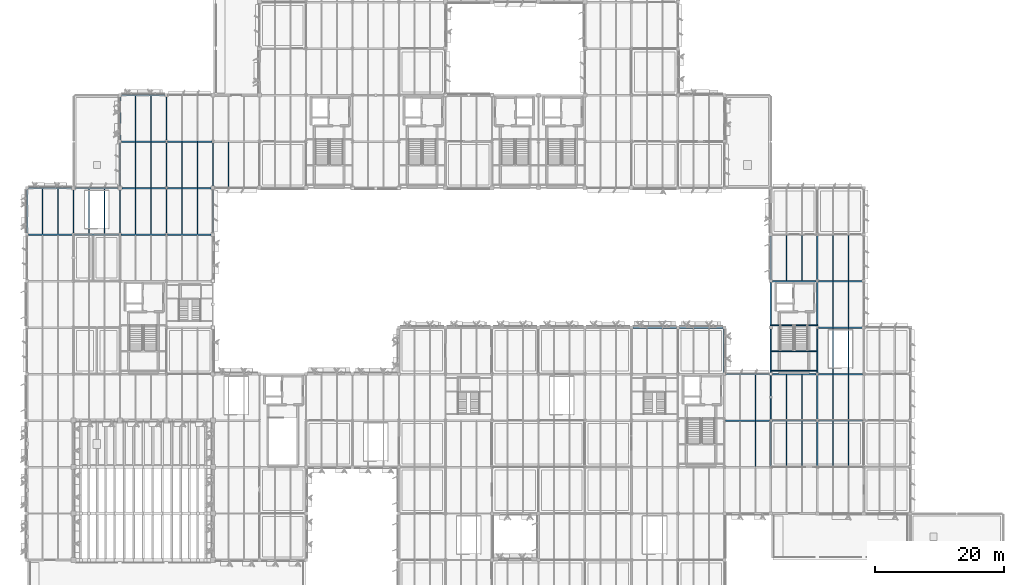
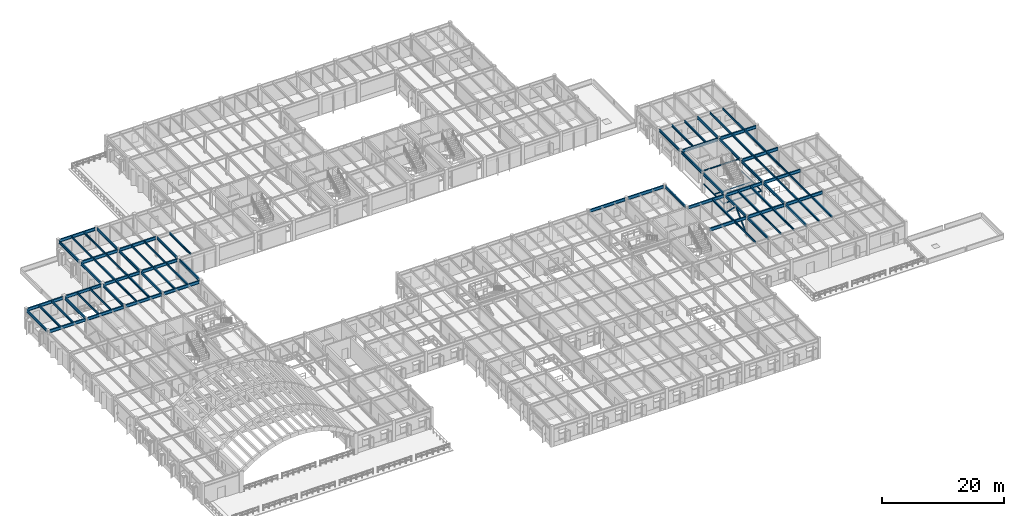
# One storey, part 20 of 85: 81 beams, 2 members.
"""IFC4 building model written with IfcOpenShell, lengths in metres."""

from ifc_helpers import new_model, si_unit, direction, frame, origin, origin_2d, place, context, subcontext, project, spatial, hollow_rectangle, i_section, extrude, material, material_profile, profile_set, type_object, element, save


model = new_model("IFC4")

# Units and contexts
model_context = context("Model", 3, precision=1e-05, world=origin(), true_north=direction((0.0, 1.0)))
body_context = subcontext(model_context, "Body", "Model", "MODEL_VIEW")
ifc_project = project(units=[si_unit("LENGTHUNIT", "METRE"), si_unit("AREAUNIT", "SQUARE_METRE"), si_unit("VOLUMEUNIT", "CUBIC_METRE"), si_unit("PLANEANGLEUNIT", "RADIAN"), si_unit("MASSUNIT", "GRAM", prefix="KILO")], contexts=[model_context])

# Site, building, storey
site_placement = place(None, origin())
site = spatial("IfcSite", under=ifc_project, at=site_placement, CompositionType="ELEMENT")
building_placement = place(site_placement, origin())
building = spatial("IfcBuilding", under=site, at=building_placement, Name="Sillqori Civic Hall", CompositionType="ELEMENT")
storey_placement = place(building_placement, frame((0.0, 0.0, 9.89990234375)))
storey = spatial("IfcBuildingStorey", under=building, at=storey_placement, Name="L03", CompositionType="ELEMENT", Elevation=9.89990234375)

# Beams
ifc_material_1 = material(Name="Steel ASTM A992", Category="steel")
ifc_material_profile_1 = material_profile(ifc_material_1, i_section(OverallWidth=0.2099609375, OverallDepth=0.532958984375, WebThickness=0.01025390625, FlangeThickness=0.015625, FilletRadius=0.013916015625, at=origin_2d()), Name="W21X62")
ifc_profile_set_1 = profile_set([ifc_material_profile_1], Name="Steel ASTM A992")
beam_type_1 = type_object("IfcBeamType", Name="BM-W21X62", PredefinedType="BEAM", material=ifc_profile_set_1)
beam_1_placement = place(storey_placement, frame((7.199951171875, 72.243896484375, 3.753662109375), z_axis=(0.0, 1.0, 0.0), x_axis=(-1.0, 0.0, 0.0)))
element("IfcBeam", 1, at=beam_1_placement, inside=storey, type_object=beam_type_1, Name="L03 girder Y 1-10", PredefinedType="BEAM", context=body_context, shape_type="SweptSolid", body=[
    extrude(i_section(OverallWidth=0.2099609375, OverallDepth=0.532958984375, WebThickness=0.01025390625, FlangeThickness=0.015625, FilletRadius=0.013916015625, at=origin_2d()), origin(), (0.0, 0.0, 1.0), 6.712158203125),
])
for number, where, z_axis, x_axis, name in (
    (2, (14.39990234375, 72.177978515625, 3.753662109375), (0.0, 1.0, 0.0), (-1.0, 0.0, 0.0), "L03 girder Y 2-10"),
    (3, (21.60009765625, 72.177978515625, 3.753662109375), (0.0, 1.0, 0.0), (-1.0, 0.0, 0.0), "L03 girder Y 3-10"),
):
    element("IfcBeam", number, at=place(storey_placement, frame(where, z_axis=z_axis, x_axis=x_axis)), inside=storey, type_object=beam_type_1, Name=name, PredefinedType="BEAM", context=body_context, shape_type="SweptSolid", body=[
        extrude(i_section(OverallWidth=0.2099609375, OverallDepth=0.532958984375, WebThickness=0.01025390625, FlangeThickness=0.015625, FilletRadius=0.013916015625, at=origin_2d()), origin(), (0.0, 0.0, 1.0), 6.72802734375),
    ])
beam_2_placement = place(storey_placement, frame((21.60009765625, 79.493896484375, 3.733642578125), z_axis=(0.0, 1.0, 0.0), x_axis=(-1.0, 0.0, 0.0)))
element("IfcBeam", 4, at=beam_2_placement, inside=storey, type_object=beam_type_1, Name="L03 girder Y 3-11", PredefinedType="BEAM", context=body_context, shape_type="SweptSolid", body=[
    extrude(i_section(OverallWidth=0.2099609375, OverallDepth=0.532958984375, WebThickness=0.01025390625, FlangeThickness=0.015625, FilletRadius=0.013916015625, at=origin_2d()), origin(), (0.0, 0.0, 1.0), 6.662109375),
])
beam_3_placement = place(storey_placement, frame((21.60009765625, 86.64404296875, 3.733642578125), z_axis=(0.0, 1.0, 0.0), x_axis=(-1.0, 0.0, 0.0)))
element("IfcBeam", 5, at=beam_3_placement, inside=storey, type_object=beam_type_1, Name="L03 girder Y 3-12", PredefinedType="BEAM", context=body_context, shape_type="SweptSolid", body=[
    extrude(i_section(OverallWidth=0.2099609375, OverallDepth=0.532958984375, WebThickness=0.01025390625, FlangeThickness=0.015625, FilletRadius=0.013916015625, at=origin_2d()), origin(), (0.0, 0.0, 1.0), 6.7119140625),
])
beam_4_placement = place(storey_placement, frame((28.800048828125, 72.177978515625, 3.753662109375), z_axis=(0.0, 1.0, 0.0), x_axis=(-1.0, 0.0, 0.0)))
element("IfcBeam", 6, at=beam_4_placement, inside=storey, type_object=beam_type_1, Name="L03 girder Y 4-10", PredefinedType="BEAM", context=body_context, shape_type="SweptSolid", body=[
    extrude(i_section(OverallWidth=0.2099609375, OverallDepth=0.532958984375, WebThickness=0.01025390625, FlangeThickness=0.015625, FilletRadius=0.013916015625, at=origin_2d()), origin(), (0.0, 0.0, 1.0), 6.843994140625),
])
beam_5_placement = place(storey_placement, frame((28.800048828125, 79.3779296875, 3.733642578125), z_axis=(0.0, 1.0, 0.0), x_axis=(-1.0, 0.0, 0.0)))
element("IfcBeam", 7, at=beam_5_placement, inside=storey, type_object=beam_type_1, Name="L03 girder Y 4-11", PredefinedType="BEAM", context=body_context, shape_type="SweptSolid", body=[
    extrude(i_section(OverallWidth=0.2099609375, OverallDepth=0.532958984375, WebThickness=0.01025390625, FlangeThickness=0.015625, FilletRadius=0.013916015625, at=origin_2d()), origin(), (0.0, 0.0, 1.0), 6.84765625),
])
beam_6_placement = place(storey_placement, frame((28.800048828125, 86.574462890625, 3.733642578125), z_axis=(0.0, 1.0, 0.0), x_axis=(-1.0, 0.0, 0.0)))
element("IfcBeam", 8, at=beam_6_placement, inside=storey, type_object=beam_type_1, Name="L03 girder Y 4-12", PredefinedType="BEAM", context=body_context, shape_type="SweptSolid", body=[
    extrude(i_section(OverallWidth=0.2099609375, OverallDepth=0.532958984375, WebThickness=0.01025390625, FlangeThickness=0.015625, FilletRadius=0.013916015625, at=origin_2d()), origin(), (0.0, 0.0, 1.0), 6.781494140625),
])
beam_7_placement = place(storey_placement, frame((36.0, 72.2939453125, 3.753662109375), z_axis=(0.0, 1.0, 0.0), x_axis=(-1.0, 0.0, 0.0)))
element("IfcBeam", 9, at=beam_7_placement, inside=storey, type_object=beam_type_1, Name="L03 girder Y 5-10", PredefinedType="BEAM", context=body_context, shape_type="SweptSolid", body=[
    extrude(i_section(OverallWidth=0.2099609375, OverallDepth=0.532958984375, WebThickness=0.01025390625, FlangeThickness=0.015625, FilletRadius=0.013916015625, at=origin_2d()), origin(), (0.0, 0.0, 1.0), 6.612060546875),
])
beam_8_placement = place(storey_placement, frame((36.0, 79.493896484375, 3.753662109375), z_axis=(0.0, 1.0, 0.0), x_axis=(-1.0, 0.0, 0.0)))
element("IfcBeam", 10, at=beam_8_placement, inside=storey, type_object=beam_type_1, Name="L03 girder Y 5-11", PredefinedType="BEAM", context=body_context, shape_type="SweptSolid", body=[
    extrude(i_section(OverallWidth=0.2099609375, OverallDepth=0.532958984375, WebThickness=0.01025390625, FlangeThickness=0.015625, FilletRadius=0.013916015625, at=origin_2d()), origin(), (0.0, 0.0, 1.0), 6.72802734375),
])
beam_9_placement = place(storey_placement, frame((115.199951171875, 50.64404296875, 3.753662109375), z_axis=(0.0, 1.0, 0.0), x_axis=(-1.0, 0.0, 0.0)))
element("IfcBeam", 11, at=beam_9_placement, inside=storey, type_object=beam_type_1, Name="L03 girder Y 16-7", PredefinedType="BEAM", context=body_context, shape_type="SweptSolid", body=[
    extrude(i_section(OverallWidth=0.2099609375, OverallDepth=0.532958984375, WebThickness=0.01025390625, FlangeThickness=0.015625, FilletRadius=0.013916015625, at=origin_2d()), origin(), (0.0, 0.0, 1.0), 6.7119140625),
])
beam_10_placement = place(storey_placement, frame((122.39990234375, 36.174560546875, 3.733642578125), z_axis=(0.0, 1.0, 0.0), x_axis=(-1.0, 0.0, 0.0)))
element("IfcBeam", 12, at=beam_10_placement, inside=storey, type_object=beam_type_1, Name="L03 girder Y 17-5", PredefinedType="BEAM", context=body_context, shape_type="SweptSolid", body=[
    extrude(i_section(OverallWidth=0.2099609375, OverallDepth=0.532958984375, WebThickness=0.01025390625, FlangeThickness=0.015625, FilletRadius=0.013916015625, at=origin_2d()), origin(), (0.0, 0.0, 1.0), 6.850830078125),
])
beam_11_placement = place(storey_placement, frame((122.39990234375, 43.37451171875, 3.733642578125), z_axis=(0.0, 1.0, 0.0), x_axis=(-1.0, 0.0, 0.0)))
element("IfcBeam", 13, at=beam_11_placement, inside=storey, type_object=beam_type_1, Name="L03 girder Y 17-6", PredefinedType="BEAM", context=body_context, shape_type="SweptSolid", body=[
    extrude(i_section(OverallWidth=0.2099609375, OverallDepth=0.532958984375, WebThickness=0.01025390625, FlangeThickness=0.015625, FilletRadius=0.013916015625, at=origin_2d()), origin(), (0.0, 0.0, 1.0), 6.781494140625),
])
for number, where, z_axis, x_axis, name in (
    (14, (122.39990234375, 50.64404296875, 3.753662109375), (0.0, 1.0, 0.0), (-1.0, 0.0, 0.0), "L03 girder Y 17-7"),
    (15, (122.39990234375, 57.843994140625, 3.753662109375), (0.0, 1.0, 0.0), (-1.0, 0.0, 0.0), "L03 girder Y 17-8"),
):
    element("IfcBeam", number, at=place(storey_placement, frame(where, z_axis=z_axis, x_axis=x_axis)), inside=storey, type_object=beam_type_1, Name=name, PredefinedType="BEAM", context=body_context, shape_type="SweptSolid", body=[
        extrude(i_section(OverallWidth=0.2099609375, OverallDepth=0.532958984375, WebThickness=0.01025390625, FlangeThickness=0.015625, FilletRadius=0.013916015625, at=origin_2d()), origin(), (0.0, 0.0, 1.0), 6.7119140625),
    ])
beam_12_placement = place(storey_placement, frame((122.39990234375, 65.0439453125, 3.753662109375), z_axis=(0.0, 1.0, 0.0), x_axis=(-1.0, 0.0, 0.0)))
element("IfcBeam", 16, at=beam_12_placement, inside=storey, type_object=beam_type_1, Name="L03 girder Y 17-9", PredefinedType="BEAM", context=body_context, shape_type="SweptSolid", body=[
    extrude(i_section(OverallWidth=0.2099609375, OverallDepth=0.532958984375, WebThickness=0.01025390625, FlangeThickness=0.015625, FilletRadius=0.013916015625, at=origin_2d()), origin(), (0.0, 0.0, 1.0), 6.712158203125),
])
beam_13_placement = place(storey_placement, frame((129.60009765625, 36.174560546875, 3.753662109375), z_axis=(0.0, 1.0, 0.0), x_axis=(-1.0, 0.0, 0.0)))
element("IfcBeam", 17, at=beam_13_placement, inside=storey, type_object=beam_type_1, Name="L03 girder Y 18-5", PredefinedType="BEAM", context=body_context, shape_type="SweptSolid", body=[
    extrude(i_section(OverallWidth=0.2099609375, OverallDepth=0.532958984375, WebThickness=0.01025390625, FlangeThickness=0.015625, FilletRadius=0.013916015625, at=origin_2d()), origin(), (0.0, 0.0, 1.0), 6.850830078125),
])
for number, where, z_axis, x_axis, name in (
    (18, (129.60009765625, 43.37451171875, 3.753662109375), (0.0, 1.0, 0.0), (-1.0, 0.0, 0.0), "L03 girder Y 18-6"),
    (19, (129.60009765625, 50.574462890625, 3.753662109375), (0.0, 1.0, 0.0), (-1.0, 0.0, 0.0), "L03 girder Y 18-7"),
    (20, (129.60009765625, 57.7744140625, 3.753662109375), (0.0, 1.0, 0.0), (-1.0, 0.0, 0.0), "L03 girder Y 18-8"),
):
    element("IfcBeam", number, at=place(storey_placement, frame(where, z_axis=z_axis, x_axis=x_axis)), inside=storey, type_object=beam_type_1, Name=name, PredefinedType="BEAM", context=body_context, shape_type="SweptSolid", body=[
        extrude(i_section(OverallWidth=0.2099609375, OverallDepth=0.532958984375, WebThickness=0.01025390625, FlangeThickness=0.015625, FilletRadius=0.013916015625, at=origin_2d()), origin(), (0.0, 0.0, 1.0), 6.85107421875),
    ])
beam_14_placement = place(storey_placement, frame((129.60009765625, 64.974609375, 3.753662109375), z_axis=(0.0, 1.0, 0.0), x_axis=(-1.0, 0.0, 0.0)))
element("IfcBeam", 21, at=beam_14_placement, inside=storey, type_object=beam_type_1, Name="L03 girder Y 18-9", PredefinedType="BEAM", context=body_context, shape_type="SweptSolid", body=[
    extrude(i_section(OverallWidth=0.2099609375, OverallDepth=0.532958984375, WebThickness=0.01025390625, FlangeThickness=0.015625, FilletRadius=0.013916015625, at=origin_2d()), origin(), (0.0, 0.0, 1.0), 6.850830078125),
])
ifc_material_profile_2 = material_profile(ifc_material_1, i_section(OverallWidth=0.22802734375, OverallDepth=0.60205078125, WebThickness=0.010498046875, FlangeThickness=0.014892578125, FilletRadius=0.014892578125, at=origin_2d()), Name="W24X68")
ifc_profile_set_2 = profile_set([ifc_material_profile_2], Name="Steel ASTM A992")
beam_type_2 = type_object("IfcBeamType", Name="BM-W24X68", PredefinedType="BEAM", material=ifc_profile_set_2)
beam_15_placement = place(storey_placement, frame((7.444091796875, 72.0, 3.718994140625), z_axis=(1.0, 0.0, 0.0), x_axis=(0.0, 1.0, 0.0)))
element("IfcBeam", 22, at=beam_15_placement, inside=storey, type_object=beam_type_2, Name="L03 girder X 1-10", PredefinedType="BEAM", context=body_context, shape_type="SweptSolid", body=[
    extrude(i_section(OverallWidth=0.22802734375, OverallDepth=0.60205078125, WebThickness=0.010498046875, FlangeThickness=0.014892578125, FilletRadius=0.014892578125, at=origin_2d()), origin(), (0.0, 0.0, 1.0), 6.775390625),
])
beam_16_placement = place(storey_placement, frame((7.444091796875, 79.199951171875, 3.718994140625), z_axis=(1.0, 0.0, 0.0), x_axis=(0.0, 1.0, 0.0)))
element("IfcBeam", 23, at=beam_16_placement, inside=storey, type_object=beam_type_2, Name="L03 girder X 1-11", PredefinedType="BEAM", context=body_context, shape_type="SweptSolid", body=[
    extrude(i_section(OverallWidth=0.22802734375, OverallDepth=0.60205078125, WebThickness=0.010498046875, FlangeThickness=0.014892578125, FilletRadius=0.014892578125, at=origin_2d()), origin(), (0.0, 0.0, 1.0), 6.661865234375),
])
beam_17_placement = place(storey_placement, frame((14.58056640625, 72.0, 3.718994140625), z_axis=(1.0, 0.0, 0.0), x_axis=(0.0, 1.0, 0.0)))
element("IfcBeam", 24, at=beam_17_placement, inside=storey, type_object=beam_type_2, Name="L03 girder X 2-10", PredefinedType="BEAM", context=body_context, shape_type="SweptSolid", body=[
    extrude(i_section(OverallWidth=0.22802734375, OverallDepth=0.60205078125, WebThickness=0.010498046875, FlangeThickness=0.014892578125, FilletRadius=0.014892578125, at=origin_2d()), origin(), (0.0, 0.0, 1.0), 6.8388671875),
])
beam_18_placement = place(storey_placement, frame((14.694091796875, 79.199951171875, 3.718994140625), z_axis=(1.0, 0.0, 0.0), x_axis=(0.0, 1.0, 0.0)))
element("IfcBeam", 25, at=beam_18_placement, inside=storey, type_object=beam_type_2, Name="L03 girder X 2-11", PredefinedType="BEAM", context=body_context, shape_type="SweptSolid", body=[
    extrude(i_section(OverallWidth=0.22802734375, OverallDepth=0.60205078125, WebThickness=0.010498046875, FlangeThickness=0.014892578125, FilletRadius=0.014892578125, at=origin_2d()), origin(), (0.0, 0.0, 1.0), 6.61181640625),
])
beam_19_placement = place(storey_placement, frame((21.780517578125, 72.0, 3.718994140625), z_axis=(1.0, 0.0, 0.0), x_axis=(0.0, 1.0, 0.0)))
element("IfcBeam", 26, at=beam_19_placement, inside=storey, type_object=beam_type_2, Name="L03 girder X 3-10", PredefinedType="BEAM", context=body_context, shape_type="SweptSolid", body=[
    extrude(i_section(OverallWidth=0.22802734375, OverallDepth=0.60205078125, WebThickness=0.010498046875, FlangeThickness=0.014892578125, FilletRadius=0.014892578125, at=origin_2d()), origin(), (0.0, 0.0, 1.0), 6.8388671875),
])
beam_20_placement = place(storey_placement, frame((21.89404296875, 79.199951171875, 3.69921875), z_axis=(1.0, 0.0, 0.0), x_axis=(0.0, 1.0, 0.0)))
element("IfcBeam", 27, at=beam_20_placement, inside=storey, type_object=beam_type_2, Name="L03 girder X 3-11", PredefinedType="BEAM", context=body_context, shape_type="SweptSolid", body=[
    extrude(i_section(OverallWidth=0.22802734375, OverallDepth=0.60205078125, WebThickness=0.010498046875, FlangeThickness=0.014892578125, FilletRadius=0.014892578125, at=origin_2d()), origin(), (0.0, 0.0, 1.0), 6.725341796875),
])
beam_21_placement = place(storey_placement, frame((21.843994140625, 86.39990234375, 3.69921875), z_axis=(1.0, 0.0, 0.0), x_axis=(0.0, 1.0, 0.0)))
element("IfcBeam", 28, at=beam_21_placement, inside=storey, type_object=beam_type_2, Name="L03 girder X 3-12", PredefinedType="BEAM", context=body_context, shape_type="SweptSolid", body=[
    extrude(i_section(OverallWidth=0.22802734375, OverallDepth=0.60205078125, WebThickness=0.010498046875, FlangeThickness=0.014892578125, FilletRadius=0.014892578125, at=origin_2d()), origin(), (0.0, 0.0, 1.0), 6.776611328125),
])
beam_22_placement = place(storey_placement, frame((21.843994140625, 93.60009765625, 3.69921875), z_axis=(1.0, 0.0, 0.0), x_axis=(0.0, 1.0, 0.0)))
element("IfcBeam", 29, at=beam_22_placement, inside=storey, type_object=beam_type_2, Name="L03 girder X 3-13", PredefinedType="BEAM", context=body_context, shape_type="SweptSolid", body=[
    extrude(i_section(OverallWidth=0.22802734375, OverallDepth=0.60205078125, WebThickness=0.010498046875, FlangeThickness=0.014892578125, FilletRadius=0.014892578125, at=origin_2d()), origin(), (0.0, 0.0, 1.0), 6.7119140625),
])
for number, where, z_axis, x_axis, name in (
    (30, (28.98046875, 72.0, 3.718994140625), (1.0, 0.0, 0.0), (0.0, 1.0, 0.0), "L03 girder X 4-10"),
    (31, (28.98046875, 79.199951171875, 3.718994140625), (1.0, 0.0, 0.0), (0.0, 1.0, 0.0), "L03 girder X 4-11"),
):
    element("IfcBeam", number, at=place(storey_placement, frame(where, z_axis=z_axis, x_axis=x_axis)), inside=storey, type_object=beam_type_2, Name=name, PredefinedType="BEAM", context=body_context, shape_type="SweptSolid", body=[
        extrude(i_section(OverallWidth=0.22802734375, OverallDepth=0.60205078125, WebThickness=0.010498046875, FlangeThickness=0.014892578125, FilletRadius=0.014892578125, at=origin_2d()), origin(), (0.0, 0.0, 1.0), 6.7255859375),
    ])
beam_23_placement = place(storey_placement, frame((28.9794921875, 86.39990234375, 3.718994140625), z_axis=(1.0, 0.0, 0.0), x_axis=(0.0, 1.0, 0.0)))
element("IfcBeam", 32, at=beam_23_placement, inside=storey, type_object=beam_type_2, Name="L03 girder X 4-12", PredefinedType="BEAM", context=body_context, shape_type="SweptSolid", body=[
    extrude(i_section(OverallWidth=0.22802734375, OverallDepth=0.60205078125, WebThickness=0.010498046875, FlangeThickness=0.014892578125, FilletRadius=0.014892578125, at=origin_2d()), origin(), (0.0, 0.0, 1.0), 6.840087890625),
])
for number, where, z_axis, x_axis, name in (
    (33, (101.0439453125, 57.60009765625, 3.718994140625), (1.0, 0.0, 0.0), (0.0, 1.0, 0.0), "L03 girder X 14-8"),
    (34, (108.243896484375, 57.60009765625, 3.718994140625), (1.0, 0.0, 0.0), (0.0, 1.0, 0.0), "L03 girder X 15-8"),
):
    element("IfcBeam", number, at=place(storey_placement, frame(where, z_axis=z_axis, x_axis=x_axis)), inside=storey, type_object=beam_type_2, Name=name, PredefinedType="BEAM", context=body_context, shape_type="SweptSolid", body=[
        extrude(i_section(OverallWidth=0.22802734375, OverallDepth=0.60205078125, WebThickness=0.010498046875, FlangeThickness=0.014892578125, FilletRadius=0.014892578125, at=origin_2d()), origin(), (0.0, 0.0, 1.0), 6.712158203125),
    ])
beam_24_placement = place(storey_placement, frame((115.37939453125, 43.199951171875, 3.69921875), z_axis=(1.0, 0.0, 0.0), x_axis=(0.0, 1.0, 0.0)))
element("IfcBeam", 35, at=beam_24_placement, inside=storey, type_object=beam_type_2, Name="L03 girder X 16-6", PredefinedType="BEAM", context=body_context, shape_type="SweptSolid", body=[
    extrude(i_section(OverallWidth=0.22802734375, OverallDepth=0.60205078125, WebThickness=0.010498046875, FlangeThickness=0.014892578125, FilletRadius=0.014892578125, at=origin_2d()), origin(), (0.0, 0.0, 1.0), 6.841064453125),
])
beam_25_placement = place(storey_placement, frame((115.444091796875, 50.39990234375, 3.69921875), z_axis=(1.0, 0.0, 0.0), x_axis=(0.0, 1.0, 0.0)))
element("IfcBeam", 36, at=beam_25_placement, inside=storey, type_object=beam_type_2, Name="L03 girder X 16-7", PredefinedType="BEAM", context=body_context, shape_type="SweptSolid", body=[
    extrude(i_section(OverallWidth=0.22802734375, OverallDepth=0.60205078125, WebThickness=0.010498046875, FlangeThickness=0.014892578125, FilletRadius=0.014892578125, at=origin_2d()), origin(), (0.0, 0.0, 1.0), 6.7119140625),
])
ifc_material_profile_3 = material_profile(ifc_material_1, i_section(OverallWidth=0.22900390625, OverallDepth=0.612060546875, WebThickness=0.011962890625, FlangeThickness=0.01953125, FilletRadius=0.014892578125, at=origin_2d()), Name="W24X84")
ifc_profile_set_3 = profile_set([ifc_material_profile_3], Name="Steel ASTM A992")
beam_type_3 = type_object("IfcBeamType", Name="BM-W24X84", PredefinedType="BEAM", material=ifc_profile_set_3)
beam_26_placement = place(storey_placement, frame((122.57958984375, 43.199951171875, 3.714111328125), z_axis=(1.0, 0.0, 0.0), x_axis=(0.0, 1.0, 0.0)))
element("IfcBeam", 37, at=beam_26_placement, inside=storey, type_object=beam_type_3, Name="L03 girder X 17-6", PredefinedType="BEAM", context=body_context, shape_type="SweptSolid", body=[
    extrude(i_section(OverallWidth=0.22900390625, OverallDepth=0.612060546875, WebThickness=0.011962890625, FlangeThickness=0.01953125, FilletRadius=0.014892578125, at=origin_2d()), origin(), (0.0, 0.0, 1.0), 6.8408203125),
])
for number, where, z_axis, x_axis, name in (
    (38, (122.64404296875, 50.39990234375, 3.714111328125), (1.0, 0.0, 0.0), (0.0, 1.0, 0.0), "L03 girder X 17-7"),
    (39, (122.64404296875, 64.800048828125, 3.714111328125), (1.0, 0.0, 0.0), (0.0, 1.0, 0.0), "L03 girder X 17-9"),
):
    element("IfcBeam", number, at=place(storey_placement, frame(where, z_axis=z_axis, x_axis=x_axis)), inside=storey, type_object=beam_type_3, Name=name, PredefinedType="BEAM", context=body_context, shape_type="SweptSolid", body=[
        extrude(i_section(OverallWidth=0.22900390625, OverallDepth=0.612060546875, WebThickness=0.011962890625, FlangeThickness=0.01953125, FilletRadius=0.014892578125, at=origin_2d()), origin(), (0.0, 0.0, 1.0), 6.7763671875),
    ])
for number, where, z_axis, x_axis, name in (
    (40, (129.779541015625, 43.199951171875, 3.714111328125), (1.0, 0.0, 0.0), (0.0, 1.0, 0.0), "L03 girder X 18-6"),
    (41, (129.779541015625, 50.39990234375, 3.714111328125), (1.0, 0.0, 0.0), (0.0, 1.0, 0.0), "L03 girder X 18-7"),
):
    element("IfcBeam", number, at=place(storey_placement, frame(where, z_axis=z_axis, x_axis=x_axis)), inside=storey, type_object=beam_type_3, Name=name, PredefinedType="BEAM", context=body_context, shape_type="SweptSolid", body=[
        extrude(i_section(OverallWidth=0.22900390625, OverallDepth=0.612060546875, WebThickness=0.011962890625, FlangeThickness=0.01953125, FilletRadius=0.014892578125, at=origin_2d()), origin(), (0.0, 0.0, 1.0), 6.841064453125),
    ])
for number, where, z_axis, x_axis, name in (
    (42, (129.779541015625, 57.60009765625, 3.714111328125), (1.0, 0.0, 0.0), (0.0, 1.0, 0.0), "L03 girder X 18-8"),
    (43, (129.779541015625, 64.800048828125, 3.714111328125), (1.0, 0.0, 0.0), (0.0, 1.0, 0.0), "L03 girder X 18-9"),
):
    element("IfcBeam", number, at=place(storey_placement, frame(where, z_axis=z_axis, x_axis=x_axis)), inside=storey, type_object=beam_type_3, Name=name, PredefinedType="BEAM", context=body_context, shape_type="SweptSolid", body=[
        extrude(i_section(OverallWidth=0.22900390625, OverallDepth=0.612060546875, WebThickness=0.011962890625, FlangeThickness=0.01953125, FilletRadius=0.014892578125, at=origin_2d()), origin(), (0.0, 0.0, 1.0), 6.7763671875),
    ])

# Members
ifc_material_2 = material(Name="Steel ASTM A500 Grade C", Category="steel")
ifc_material_profile_4 = material_profile(ifc_material_2, hollow_rectangle(XDim=0.199951171875, YDim=0.199951171875, WallThickness=0.010009765625, InnerFilletRadius=0.010009765625, OuterFilletRadius=0.02001953125, at=origin_2d()), Name="HSS200X200X10")
ifc_profile_set_4 = profile_set([ifc_material_profile_4], Name="Steel ASTM A500 Grade C")
member_type = type_object("IfcMemberType", Name="BR-HSS200", PredefinedType="BRACE", material=ifc_profile_set_4)
member_1_placement = place(storey_placement, frame((122.39990234375, 43.199951171875, 0.150146484375), z_axis=(0.0, 0.712038868151, 0.702140050305), x_axis=(-1.0, 0.0, 0.0)))
element("IfcMember", 44, at=member_1_placement, inside=storey, type_object=member_type, Name="L03 seismic chevron brace L Y17-6", PredefinedType="BRACE", context=body_context, shape_type="SweptSolid", body=[
    extrude(hollow_rectangle(XDim=0.199951171875, YDim=0.199951171875, WallThickness=0.010009765625, InnerFilletRadius=0.010009765625, OuterFilletRadius=0.02001953125, at=origin_2d()), origin(), (0.0, 0.0, 1.0), 5.05615234375),
])
member_2_placement = place(storey_placement, frame((122.39990234375, 50.39990234375, 0.150146484375), z_axis=(0.0, -0.712015061443, 0.702164191823), x_axis=(1.0, 0.0, 0.0)))
element("IfcMember", 45, at=member_2_placement, inside=storey, type_object=member_type, Name="L03 seismic chevron brace R Y17-6", PredefinedType="BRACE", context=body_context, shape_type="SweptSolid", body=[
    extrude(hollow_rectangle(XDim=0.199951171875, YDim=0.199951171875, WallThickness=0.010009765625, InnerFilletRadius=0.010009765625, OuterFilletRadius=0.02001953125, at=origin_2d()), origin(), (0.0, 0.0, 1.0), 5.055908203125),
])

# Beams
ifc_material_profile_5 = material_profile(ifc_material_1, i_section(OverallWidth=0.177978515625, OverallDepth=0.404052734375, WebThickness=0.007568359375, FlangeThickness=0.010986328125, FilletRadius=0.011962890625, at=origin_2d()), Name="W16X36")
ifc_profile_set_5 = profile_set([ifc_material_profile_5], Name="Steel ASTM A992")
beam_type_4 = type_object("IfcBeamType", Name="JS-W16X36", PredefinedType="JOIST", material=ifc_profile_set_5)
for number, where, z_axis, x_axis, name in (
    (46, (9.60009765625, 72.094970703125, 3.818115234375), (0.0, 1.0, 0.0), (-1.0, 0.0, 0.0), "L03 composite joist 1-10.1"),
    (47, (12.0, 72.094970703125, 3.818115234375), (0.0, 1.0, 0.0), (-1.0, 0.0, 0.0), "L03 composite joist 1-10.2"),
    (48, (16.800048828125, 72.094970703125, 3.818115234375), (0.0, 1.0, 0.0), (-1.0, 0.0, 0.0), "L03 composite joist 2-10.1"),
    (49, (19.199951171875, 72.094970703125, 3.818115234375), (0.0, 1.0, 0.0), (-1.0, 0.0, 0.0), "L03 composite joist 2-10.2"),
    (50, (24.0, 72.094970703125, 3.818115234375), (0.0, 1.0, 0.0), (-1.0, 0.0, 0.0), "L03 composite joist 3-10.1"),
    (51, (26.39990234375, 72.094970703125, 3.818115234375), (0.0, 1.0, 0.0), (-1.0, 0.0, 0.0), "L03 composite joist 3-10.2"),
    (52, (24.0, 79.294921875, 3.798095703125), (0.0, 1.0, 0.0), (-1.0, 0.0, 0.0), "L03 composite joist 3-11.1"),
    (53, (26.39990234375, 79.294921875, 3.798095703125), (0.0, 1.0, 0.0), (-1.0, 0.0, 0.0), "L03 composite joist 3-11.2"),
):
    element("IfcBeam", number, at=place(storey_placement, frame(where, z_axis=z_axis, x_axis=x_axis)), inside=storey, type_object=beam_type_4, Name=name, PredefinedType="JOIST", context=body_context, shape_type="SweptSolid", body=[
        extrude(i_section(OverallWidth=0.177978515625, OverallDepth=0.404052734375, WebThickness=0.007568359375, FlangeThickness=0.010986328125, FilletRadius=0.011962890625, at=origin_2d()), origin(), (0.0, 0.0, 1.0), 7.010009765625),
    ])
for number, where, z_axis, x_axis, name in (
    (54, (24.0, 86.4951171875, 3.798095703125), (0.0, 1.0, 0.0), (-1.0, 0.0, 0.0), "L03 composite joist 3-12.1"),
    (55, (26.39990234375, 86.4951171875, 3.798095703125), (0.0, 1.0, 0.0), (-1.0, 0.0, 0.0), "L03 composite joist 3-12.2"),
):
    element("IfcBeam", number, at=place(storey_placement, frame(where, z_axis=z_axis, x_axis=x_axis)), inside=storey, type_object=beam_type_4, Name=name, PredefinedType="JOIST", context=body_context, shape_type="SweptSolid", body=[
        extrude(i_section(OverallWidth=0.177978515625, OverallDepth=0.404052734375, WebThickness=0.007568359375, FlangeThickness=0.010986328125, FilletRadius=0.011962890625, at=origin_2d()), origin(), (0.0, 0.0, 1.0), 7.009765625),
    ])
for number, where, z_axis, x_axis, name in (
    (56, (31.199951171875, 72.094970703125, 3.818115234375), (0.0, 1.0, 0.0), (-1.0, 0.0, 0.0), "L03 composite joist 4-10.1"),
    (57, (33.60009765625, 72.094970703125, 3.818115234375), (0.0, 1.0, 0.0), (-1.0, 0.0, 0.0), "L03 composite joist 4-10.2"),
    (58, (31.199951171875, 79.294921875, 3.818115234375), (0.0, 1.0, 0.0), (-1.0, 0.0, 0.0), "L03 composite joist 4-11.1"),
    (59, (33.60009765625, 79.294921875, 3.818115234375), (0.0, 1.0, 0.0), (-1.0, 0.0, 0.0), "L03 composite joist 4-11.2"),
    (60, (38.39990234375, 79.294921875, 3.818115234375), (0.0, 1.0, 0.0), (-1.0, 0.0, 0.0), "L03 composite joist 5-11.1"),
    (61, (120.0, 36.094970703125, 3.798095703125), (0.0, 1.0, 0.0), (-1.0, 0.0, 0.0), "L03 composite joist 16-5.2"),
    (62, (120.0, 43.294921875, 3.798095703125), (0.0, 1.0, 0.0), (-1.0, 0.0, 0.0), "L03 composite joist 16-6.2"),
    (63, (124.800048828125, 36.094970703125, 3.818115234375), (0.0, 1.0, 0.0), (-1.0, 0.0, 0.0), "L03 composite joist 17-5.1"),
    (64, (127.199951171875, 36.094970703125, 3.818115234375), (0.0, 1.0, 0.0), (-1.0, 0.0, 0.0), "L03 composite joist 17-5.2"),
    (65, (124.800048828125, 43.294921875, 3.818115234375), (0.0, 1.0, 0.0), (-1.0, 0.0, 0.0), "L03 composite joist 17-6.1"),
    (66, (127.199951171875, 43.294921875, 3.818115234375), (0.0, 1.0, 0.0), (-1.0, 0.0, 0.0), "L03 composite joist 17-6.2"),
    (67, (124.800048828125, 64.89501953125, 3.818115234375), (0.0, 1.0, 0.0), (-1.0, 0.0, 0.0), "L03 composite joist 17-9.1"),
    (68, (127.199951171875, 64.89501953125, 3.818115234375), (0.0, 1.0, 0.0), (-1.0, 0.0, 0.0), "L03 composite joist 17-9.2"),
    (69, (132.0, 36.094970703125, 3.818115234375), (0.0, 1.0, 0.0), (-1.0, 0.0, 0.0), "L03 composite joist 18-5.1"),
    (70, (134.39990234375, 36.094970703125, 3.818115234375), (0.0, 1.0, 0.0), (-1.0, 0.0, 0.0), "L03 composite joist 18-5.2"),
    (71, (132.0, 43.294921875, 3.818115234375), (0.0, 1.0, 0.0), (-1.0, 0.0, 0.0), "L03 composite joist 18-6.1"),
    (72, (134.39990234375, 43.294921875, 3.818115234375), (0.0, 1.0, 0.0), (-1.0, 0.0, 0.0), "L03 composite joist 18-6.2"),
):
    element("IfcBeam", number, at=place(storey_placement, frame(where, z_axis=z_axis, x_axis=x_axis)), inside=storey, type_object=beam_type_4, Name=name, PredefinedType="JOIST", context=body_context, shape_type="SweptSolid", body=[
        extrude(i_section(OverallWidth=0.177978515625, OverallDepth=0.404052734375, WebThickness=0.007568359375, FlangeThickness=0.010986328125, FilletRadius=0.011962890625, at=origin_2d()), origin(), (0.0, 0.0, 1.0), 7.010009765625),
    ])
for number, where, z_axis, x_axis, name in (
    (73, (132.0, 50.4951171875, 3.818115234375), (0.0, 1.0, 0.0), (-1.0, 0.0, 0.0), "L03 composite joist 18-7.1"),
    (74, (134.39990234375, 50.4951171875, 3.818115234375), (0.0, 1.0, 0.0), (-1.0, 0.0, 0.0), "L03 composite joist 18-7.2"),
):
    element("IfcBeam", number, at=place(storey_placement, frame(where, z_axis=z_axis, x_axis=x_axis)), inside=storey, type_object=beam_type_4, Name=name, PredefinedType="JOIST", context=body_context, shape_type="SweptSolid", body=[
        extrude(i_section(OverallWidth=0.177978515625, OverallDepth=0.404052734375, WebThickness=0.007568359375, FlangeThickness=0.010986328125, FilletRadius=0.011962890625, at=origin_2d()), origin(), (0.0, 0.0, 1.0), 7.009765625),
    ])
for number, where, z_axis, x_axis, name in (
    (75, (132.0, 57.695068359375, 3.818115234375), (0.0, 1.0, 0.0), (-1.0, 0.0, 0.0), "L03 composite joist 18-8.1"),
    (76, (134.39990234375, 57.695068359375, 3.818115234375), (0.0, 1.0, 0.0), (-1.0, 0.0, 0.0), "L03 composite joist 18-8.2"),
    (77, (132.0, 64.89501953125, 3.818115234375), (0.0, 1.0, 0.0), (-1.0, 0.0, 0.0), "L03 composite joist 18-9.1"),
    (78, (134.39990234375, 64.89501953125, 3.818115234375), (0.0, 1.0, 0.0), (-1.0, 0.0, 0.0), "L03 composite joist 18-9.2"),
):
    element("IfcBeam", number, at=place(storey_placement, frame(where, z_axis=z_axis, x_axis=x_axis)), inside=storey, type_object=beam_type_4, Name=name, PredefinedType="JOIST", context=body_context, shape_type="SweptSolid", body=[
        extrude(i_section(OverallWidth=0.177978515625, OverallDepth=0.404052734375, WebThickness=0.007568359375, FlangeThickness=0.010986328125, FilletRadius=0.011962890625, at=origin_2d()), origin(), (0.0, 0.0, 1.0), 7.010009765625),
    ])
ifc_material_profile_6 = material_profile(ifc_material_1, i_section(OverallWidth=0.133056640625, OverallDepth=0.20703125, WebThickness=0.005859375, FlangeThickness=0.00830078125, FilletRadius=0.008056640625, at=origin_2d()), Name="W8X18")
ifc_profile_set_6 = profile_set([ifc_material_profile_6], Name="Steel ASTM A992")
beam_type_5 = type_object("IfcBeamType", Name="LN-W8X18", PredefinedType="LINTEL", material=ifc_profile_set_6)
beam_27_placement = place(storey_placement, frame((122.39990234375, 50.64404296875, 1.78271484375), z_axis=(0.0, 1.0, 0.0), x_axis=(-1.0, 0.0, 0.0)))
element("IfcBeam", 79, at=beam_27_placement, inside=storey, type_object=beam_type_5, Name="L03 grid 17 stair landing stringer 1", PredefinedType="LINTEL", context=body_context, shape_type="SweptSolid", body=[
    extrude(i_section(OverallWidth=0.133056640625, OverallDepth=0.20703125, WebThickness=0.005859375, FlangeThickness=0.00830078125, FilletRadius=0.008056640625, at=origin_2d()), origin(), (0.0, 0.0, 1.0), 6.7119140625),
])
beam_28_placement = place(storey_placement, frame((129.60009765625, 50.574462890625, 1.78271484375), z_axis=(0.0, 1.0, 0.0), x_axis=(-1.0, 0.0, 0.0)))
element("IfcBeam", 80, at=beam_28_placement, inside=storey, type_object=beam_type_5, Name="L03 grid 18 stair landing stringer 1", PredefinedType="LINTEL", context=body_context, shape_type="SweptSolid", body=[
    extrude(i_section(OverallWidth=0.133056640625, OverallDepth=0.20703125, WebThickness=0.005859375, FlangeThickness=0.00830078125, FilletRadius=0.008056640625, at=origin_2d()), origin(), (0.0, 0.0, 1.0), 6.85107421875),
])
for number, where, z_axis, x_axis, name in (
    (81, (122.449951171875, 50.89501953125, 1.78271484375), (1.0, 0.0, 0.0), (0.0, 1.0, 0.0), "L03 C2 stair half-landing steel ledger 1.1"),
    (82, (122.449951171875, 53.949951171875, 1.78271484375), (1.0, 0.0, 0.0), (0.0, 1.0, 0.0), "L03 C2 stair half-landing steel ledger 1.2"),
    (83, (122.449951171875, 57.969970703125, 3.922607421875), (1.0, 0.0, 0.0), (0.0, 1.0, 0.0), "L03 C2 stair upper arrival steel trimmer"),
):
    element("IfcBeam", number, at=place(storey_placement, frame(where, z_axis=z_axis, x_axis=x_axis)), inside=storey, type_object=beam_type_5, Name=name, PredefinedType="LINTEL", context=body_context, shape_type="SweptSolid", body=[
        extrude(i_section(OverallWidth=0.133056640625, OverallDepth=0.20703125, WebThickness=0.005859375, FlangeThickness=0.00830078125, FilletRadius=0.008056640625, at=origin_2d()), origin(), (0.0, 0.0, 1.0), 7.10009765625),
    ])

save(model, "model.ifc")
